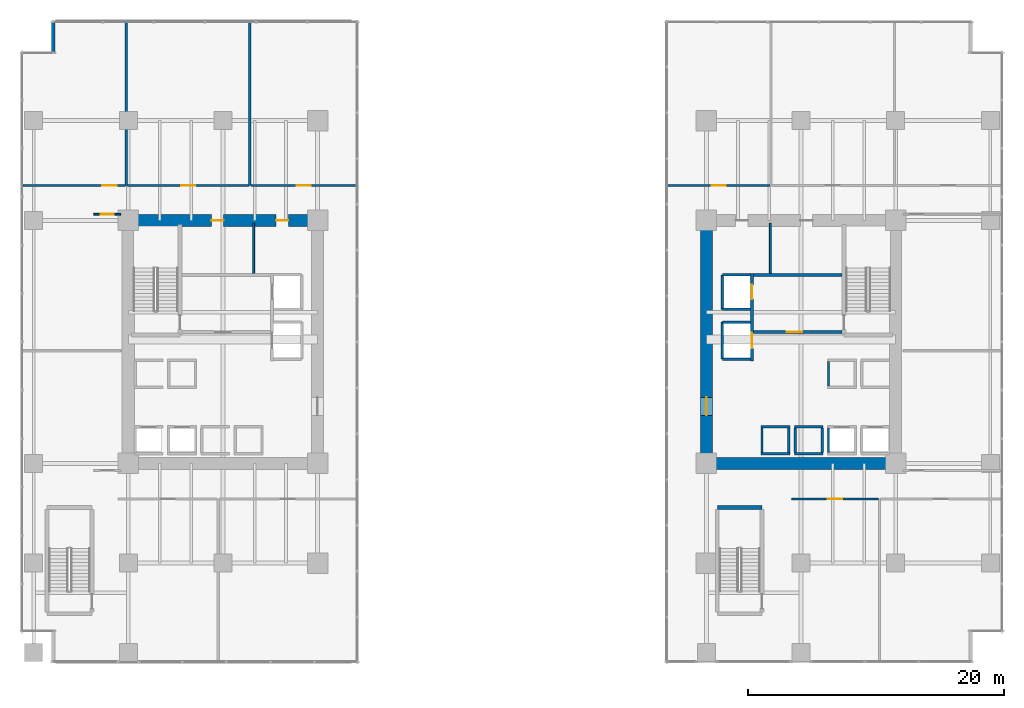
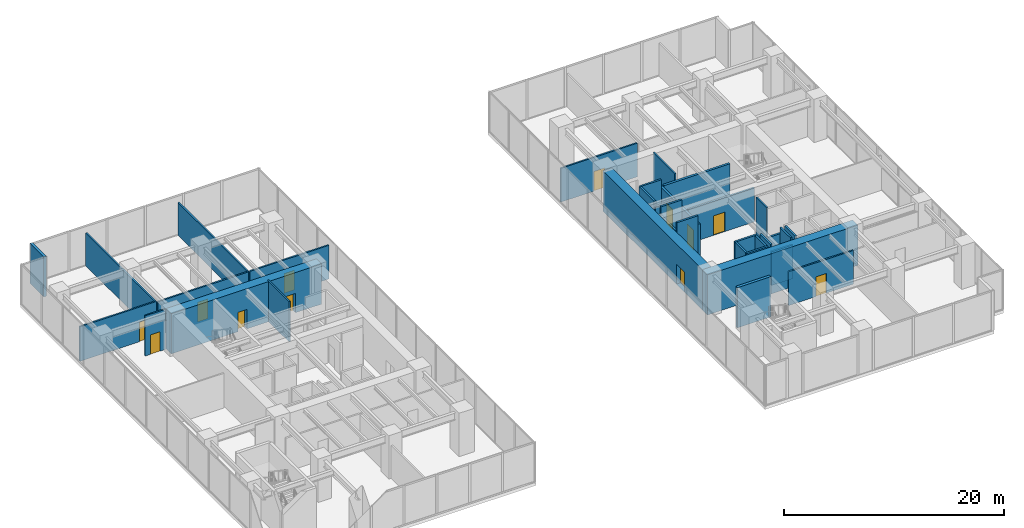
# One storey, part 26 of 32: 34 walls, 12 doors, 12 openings.
"""IFC4 building model written with IfcOpenShell, lengths in metres."""

from ifc_helpers import new_model, si_unit, direction, frame, frame_2d, origin, place, context, subcontext, project, spatial, rectangle, extrude, source, transform, mapped, material, layer, layer_set, type_object, type_shapes, element, fill, save


model = new_model("IFC4")

# Units and contexts
model_context = context("Model", 3, precision=1e-05, world=origin(), true_north=direction((0.0, 1.0)))
body_context = subcontext(model_context, "Body", "Model", "MODEL_VIEW")
ifc_project = project(units=[si_unit("LENGTHUNIT", "METRE"), si_unit("AREAUNIT", "SQUARE_METRE"), si_unit("VOLUMEUNIT", "CUBIC_METRE"), si_unit("PLANEANGLEUNIT", "RADIAN"), si_unit("MASSUNIT", "GRAM", prefix="KILO")], contexts=[model_context])

# Site, building, storey
site_placement = place(None, origin())
site = spatial("IfcSite", under=ifc_project, at=site_placement, CompositionType="ELEMENT")
building_placement = place(site_placement, origin())
building = spatial("IfcBuilding", under=site, at=building_placement, Name="Haelvirn Gate Laboratories", CompositionType="ELEMENT")
storey_placement = place(building_placement, frame((0.0, 0.0, 5.39990234375)))
storey = spatial("IfcBuildingStorey", under=building, at=storey_placement, Name="L02", CompositionType="ELEMENT", Elevation=5.39990234375)

# Wall
ifc_material_1 = material(Name="Thermally-broken bronze aluminium rainscreen & mineral wool", Category="aluminium")
ifc_layer_1 = layer(ifc_material_1, 0.280029296875, Name="EW-TERR-280")
ifc_layer_set_1 = layer_set([ifc_layer_1], Name="Thermally-broken bronze aluminium rainscreen & mineral wool")
wall_type_1 = type_object("IfcWallType", Name="EW-TERR-280", PredefinedType="STANDARD", material=ifc_layer_set_1)
wall_1_placement = place(storey_placement, frame((1.5400390625, 49.39990234375, 0.0), z_axis=(0.0, 0.0, 1.0), x_axis=(0.0, -1.0, 0.0)))
element("IfcWall", 1, at=wall_1_placement, inside=storey, type_object=wall_type_1, Name="L02 Atrium Recess Bronze Return Wall 03", PredefinedType="STANDARD", context=body_context, shape_type="SweptSolid", body=[
    extrude(rectangle(XDim=2.48779296875, YDim=0.280029296875, at=frame_2d((1.243896484375, 0.0))), origin(), (0.0, 0.0, 1.0), 4.4501953125),
])

# Wall, opening, door
ifc_material_2 = material(Name="Acoustic mineral-wool gypsum board partition", Category="gypsum")
ifc_layer_2 = layer(ifc_material_2, 0.139892578125, Name="IW-PART-140")
ifc_layer_set_2 = layer_set([ifc_layer_2], Name="Acoustic mineral-wool gypsum board partition")
wall_type_2 = type_object("IfcWallType", Name="IW-PART-140", PredefinedType="PARTITIONING", material=ifc_layer_set_2)
wall_2_placement = place(storey_placement, frame((4.699951171875, 34.280029296875, 0.0), z_axis=(0.0, 0.0, 1.0), x_axis=(1.0, 0.0, 0.0)))
wall_2 = element("IfcWall", 2, at=wall_2_placement, inside=storey, type_object=wall_type_2, Name="L02 Interior Wall IW-L02-PODOUTW-W-N", PredefinedType="PARTITIONING", context=body_context, shape_type="SweptSolid", body=[
    extrude(rectangle(XDim=2.10009765625, YDim=0.139892578125, at=frame_2d((1.050048828125, 0.0))), origin(), (0.0, 0.0, 1.0), 4.4501953125),
])
opening_1_placement = place(wall_2_placement, frame((0.550048828125, 0.0, 0.0)))
opening_1 = element("IfcOpeningElement", 3, at=opening_1_placement, cuts=wall_2, Name="Opening D2", PredefinedType="OPENING", context=body_context, shape_type="SweptSolid", body=[
    extrude(rectangle(XDim=1.0, YDim=2.14990234375, at=frame_2d((0.5, 1.074951171875))), frame((0.0, 0.080078125, 0.0), z_axis=(0.0, -1.0, 0.0), x_axis=(1.0, 0.0, 0.0)), (0.0, 0.0, 1.0), 0.159912109375),
])
ifc_material_3 = material(Name="Acoustic solid-core timber suite door", Category="wood")
door_type_1 = type_object("IfcDoorType", Name="DR-INT-1000", OperationType="NOTDEFINED", PredefinedType="DOOR", material=ifc_material_3)
shared_shape_1 = source(origin(), body_context, "Body", "SweptSolid", [
    extrude(rectangle(XDim=1.0, YDim=2.14990234375, at=frame_2d((0.5, 1.074951171875))), frame((0.0, 0.02490234375, 0.0), z_axis=(0.0, -1.0, 0.0), x_axis=(1.0, 0.0, 0.0)), (0.0, 0.0, 1.0), 0.050048828125),
])
type_shapes(door_type_1, [shared_shape_1])
door_1_placement = place(opening_1_placement, origin())
door_1 = element("IfcDoor", 4, at=door_1_placement, inside=storey, type_object=door_type_1, Name="L02 Genomics Assay Laboratory Outer Wing Door", OperationType="SINGLE_SWING_RIGHT", OverallHeight=2.14990234375, OverallWidth=1.0, PredefinedType="DOOR", context=body_context, shape_type="MappedRepresentation", body=[
    mapped(shared_shape_1, transform((0.0, 0.0, 0.0), scale=1.0)),
])
fill(opening_1, door_1)

ifc_material_4 = material(Name="Moisture-resistant gypsum laboratory partition", Category="gypsum")
ifc_layer_3 = layer(ifc_material_4, 0.1650390625, Name="IW-PART-160")
ifc_layer_set_3 = layer_set([ifc_layer_3], Name="Moisture-resistant gypsum laboratory partition")
wall_type_3 = type_object("IfcWallType", Name="IW-PART-160", PredefinedType="PARTITIONING", material=ifc_layer_set_3)
wall_3_placement = place(storey_placement, frame((-0.85009765625, 36.52001953125, 0.0), z_axis=(0.0, 0.0, 1.0), x_axis=(1.0, 0.0, 0.0)))
wall_3 = element("IfcWall", 5, at=wall_3_placement, inside=storey, type_object=wall_type_3, Name="L02 Interior Wall IW-L02-PODN-W-1", PredefinedType="PARTITIONING", context=body_context, shape_type="SweptSolid", body=[
    extrude(rectangle(XDim=8.010986328125, YDim=0.1650390625, at=frame_2d((4.00537109375, 0.0))), origin(), (0.0, 0.0, 1.0), 3.835205078125),
])
opening_2_placement = place(wall_3_placement, frame((6.23046875, 0.0, 0.0)))
opening_2 = element("IfcOpeningElement", 6, at=opening_2_placement, cuts=wall_3, Name="Opening D1", PredefinedType="OPENING", context=body_context, shape_type="SweptSolid", body=[
    extrude(rectangle(XDim=1.10009765625, YDim=2.179931640625, at=frame_2d((0.550048828125, 1.08984375))), frame((0.0, 0.092529296875, 0.0), z_axis=(0.0, -1.0, 0.0), x_axis=(1.0, 0.0, 0.0)), (0.0, 0.0, 1.0), 0.18505859375),
])
ifc_material_5 = material(Name="Vision-panel acoustic solid-core timber lab door", Category="wood")
door_type_2 = type_object("IfcDoorType", Name="DR-LAB-1100", OperationType="NOTDEFINED", PredefinedType="DOOR", material=ifc_material_5)
shared_shape_2 = source(origin(), body_context, "Body", "SweptSolid", [
    extrude(rectangle(XDim=1.10009765625, YDim=2.179931640625, at=frame_2d((0.550048828125, 1.08984375))), frame((0.0, 0.02490234375, 0.0), z_axis=(0.0, -1.0, 0.0), x_axis=(1.0, 0.0, 0.0)), (0.0, 0.0, 1.0), 0.050048828125),
])
type_shapes(door_type_2, [shared_shape_2])
door_2_placement = place(opening_2_placement, origin())
door_2 = element("IfcDoor", 7, at=door_2_placement, inside=storey, type_object=door_type_2, Name="L02 Chemical Synthesis Laboratory North Door", OperationType="SINGLE_SWING_RIGHT", OverallHeight=2.179931640625, OverallWidth=1.10009765625, PredefinedType="DOOR", context=body_context, shape_type="MappedRepresentation", body=[
    mapped(shared_shape_2, transform((0.0, 0.0, 0.0), scale=1.0)),
])
fill(opening_2, door_2)

# Wall
wall_4_placement = place(storey_placement, frame((7.240966796875, 36.52001953125, 0.0), z_axis=(0.0, 0.0, 1.0), x_axis=(0.0, 1.0, 0.0)))
element("IfcWall", 8, at=wall_4_placement, inside=storey, type_object=wall_type_3, Name="L02 Interior Wall IW-L02-PODNDIV-W-1", PredefinedType="PARTITIONING", context=body_context, shape_type="SweptSolid", body=[
    extrude(rectangle(XDim=12.77001953125, YDim=0.1650390625, at=frame_2d((6.385009765625, 0.0))), origin(), (0.0, 0.0, 1.0), 3.635009765625),
])

# Wall, opening, door
wall_5_placement = place(storey_placement, frame((7.321044921875, 36.52001953125, 0.0), z_axis=(0.0, 0.0, 1.0), x_axis=(1.0, 0.0, 0.0)))
wall_5 = element("IfcWall", 9, at=wall_5_placement, inside=storey, type_object=wall_type_3, Name="L02 Interior Wall IW-L02-PODN-W-2", PredefinedType="PARTITIONING", context=body_context, shape_type="SweptSolid", body=[
    extrude(rectangle(XDim=9.4970703125, YDim=0.1650390625, at=frame_2d((4.74853515625, 0.0))), origin(), (0.0, 0.0, 1.0), 3.735107421875),
])
opening_3_placement = place(wall_5_placement, frame((4.198486328125, 0.0, 0.0)))
opening_3 = element("IfcOpeningElement", 10, at=opening_3_placement, cuts=wall_5, Name="Opening D1", PredefinedType="OPENING", context=body_context, shape_type="SweptSolid", body=[
    extrude(rectangle(XDim=1.10009765625, YDim=2.179931640625, at=frame_2d((0.550048828125, 1.08984375))), frame((0.0, 0.092529296875, 0.0), z_axis=(0.0, -1.0, 0.0), x_axis=(1.0, 0.0, 0.0)), (0.0, 0.0, 1.0), 0.18505859375),
])
door_3_placement = place(opening_3_placement, origin())
door_3 = element("IfcDoor", 11, at=door_3_placement, inside=storey, type_object=door_type_2, Name="L02 Bioprocess Foundry Laboratory North Door", OperationType="SINGLE_SWING_LEFT", OverallHeight=2.179931640625, OverallWidth=1.10009765625, PredefinedType="DOOR", context=body_context, shape_type="MappedRepresentation", body=[
    mapped(shared_shape_2, transform((0.0, 0.0, 0.0), scale=1.0)),
])
fill(opening_3, door_3)

# Wall
wall_6_placement = place(storey_placement, frame((16.89794921875, 36.52001953125, 0.0), z_axis=(0.0, 0.0, 1.0), x_axis=(0.0, 1.0, 0.0)))
element("IfcWall", 12, at=wall_6_placement, inside=storey, type_object=wall_type_3, Name="L02 Interior Wall IW-L02-PODNDIV-W-2", PredefinedType="PARTITIONING", context=body_context, shape_type="SweptSolid", body=[
    extrude(rectangle(XDim=12.77001953125, YDim=0.1650390625, at=frame_2d((6.385009765625, 0.0))), origin(), (0.0, 0.0, 1.0), 3.635009765625),
])

# Wall, opening, door
wall_7_placement = place(storey_placement, frame((16.97802734375, 36.52001953125, 0.0), z_axis=(0.0, 0.0, 1.0), x_axis=(1.0, 0.0, 0.0)))
wall_7 = element("IfcWall", 13, at=wall_7_placement, inside=storey, type_object=wall_type_3, Name="L02 Interior Wall IW-L02-PODN-W-3", PredefinedType="PARTITIONING", context=body_context, shape_type="SweptSolid", body=[
    extrude(rectangle(XDim=8.27197265625, YDim=0.1650390625, at=frame_2d((4.135986328125, 0.0))), origin(), (0.0, 0.0, 1.0), 3.735107421875),
])
opening_4_placement = place(wall_7_placement, frame((3.5859375, 0.0, 0.0)))
opening_4 = element("IfcOpeningElement", 14, at=opening_4_placement, cuts=wall_7, Name="Opening D1", PredefinedType="OPENING", context=body_context, shape_type="SweptSolid", body=[
    extrude(rectangle(XDim=1.10009765625, YDim=2.179931640625, at=frame_2d((0.550048828125, 1.08984375))), frame((0.0, 0.092529296875, 0.0), z_axis=(0.0, -1.0, 0.0), x_axis=(1.0, 0.0, 0.0)), (0.0, 0.0, 1.0), 0.18505859375),
])
door_4_placement = place(opening_4_placement, origin())
door_4 = element("IfcDoor", 15, at=door_4_placement, inside=storey, type_object=door_type_2, Name="L02 Genomics Assay Laboratory North Door", OperationType="SINGLE_SWING_RIGHT", OverallHeight=2.179931640625, OverallWidth=1.10009765625, PredefinedType="DOOR", context=body_context, shape_type="MappedRepresentation", body=[
    mapped(shared_shape_2, transform((0.0, 0.0, 0.0), scale=1.0)),
])
fill(opening_4, door_4)

wall_8_placement = place(storey_placement, frame((59.25, 12.02001953125, 0.0), z_axis=(0.0, 0.0, 1.0), x_axis=(1.0, 0.0, 0.0)))
wall_8 = element("IfcWall", 16, at=wall_8_placement, inside=storey, type_object=wall_type_3, Name="L02 Interior Wall IW-L02-PODS-E-1", PredefinedType="PARTITIONING", context=body_context, shape_type="SweptSolid", body=[
    extrude(rectangle(XDim=6.80810546875, YDim=0.1650390625, at=frame_2d((3.404052734375, 0.0))), origin(), (0.0, 0.0, 1.0), 3.735107421875),
])
opening_5_placement = place(wall_8_placement, frame((2.85400390625, 0.0, 0.0)))
opening_5 = element("IfcOpeningElement", 17, at=opening_5_placement, cuts=wall_8, Name="Opening D1", PredefinedType="OPENING", context=body_context, shape_type="SweptSolid", body=[
    extrude(rectangle(XDim=1.10009765625, YDim=2.179931640625, at=frame_2d((0.550048828125, 1.08984375))), frame((0.0, 0.092529296875, 0.0), z_axis=(0.0, -1.0, 0.0), x_axis=(1.0, 0.0, 0.0)), (0.0, 0.0, 1.0), 0.18505859375),
])
door_5_placement = place(opening_5_placement, origin())
door_5 = element("IfcDoor", 18, at=door_5_placement, inside=storey, type_object=door_type_2, Name="L02 Computational Write-Up Office Door", OperationType="SINGLE_SWING_LEFT", OverallHeight=2.179931640625, OverallWidth=1.10009765625, PredefinedType="DOOR", context=body_context, shape_type="MappedRepresentation", body=[
    mapped(shared_shape_2, transform((0.0, 0.0, 0.0), scale=1.0)),
])
fill(opening_5, door_5)

wall_9_placement = place(storey_placement, frame((49.550048828125, 36.52001953125, 0.0), z_axis=(0.0, 0.0, 1.0), x_axis=(1.0, 0.0, 0.0)))
wall_9 = element("IfcWall", 19, at=wall_9_placement, inside=storey, type_object=wall_type_3, Name="L02 Interior Wall IW-L02-PODN-E-1", PredefinedType="PARTITIONING", context=body_context, shape_type="SweptSolid", body=[
    extrude(rectangle(XDim=8.010986328125, YDim=0.1650390625, at=frame_2d((4.00537109375, 0.0))), origin(), (0.0, 0.0, 1.0), 3.735107421875),
])
opening_6_placement = place(wall_9_placement, frame((3.45556640625, 0.0, 0.0)))
opening_6 = element("IfcOpeningElement", 20, at=opening_6_placement, cuts=wall_9, Name="Opening D1", PredefinedType="OPENING", context=body_context, shape_type="SweptSolid", body=[
    extrude(rectangle(XDim=1.10009765625, YDim=2.179931640625, at=frame_2d((0.550048828125, 1.08984375))), frame((0.0, 0.092529296875, 0.0), z_axis=(0.0, -1.0, 0.0), x_axis=(1.0, 0.0, 0.0)), (0.0, 0.0, 1.0), 0.18505859375),
])
door_6_placement = place(opening_6_placement, origin())
door_6 = element("IfcDoor", 21, at=door_6_placement, inside=storey, type_object=door_type_2, Name="L02 Chemical Synthesis Laboratory North Door", OperationType="SINGLE_SWING_RIGHT", OverallHeight=2.179931640625, OverallWidth=1.10009765625, PredefinedType="DOOR", context=body_context, shape_type="MappedRepresentation", body=[
    mapped(shared_shape_2, transform((0.0, 0.0, 0.0), scale=1.0)),
])
fill(opening_6, door_6)

# Walls
ifc_material_6 = material(Name="Cement-board restroom plumbing chase wall", Category="gypsum")
ifc_layer_4 = layer(ifc_material_6, 0.155029296875, Name="IW-PLUMB-160")
ifc_layer_set_4 = layer_set([ifc_layer_4], Name="Cement-board restroom plumbing chase wall")
wall_type_4 = type_object("IfcWallType", Name="IW-PLUMB-160", PredefinedType="PLUMBINGWALL", material=ifc_layer_set_4)
for number, where, z_axis, x_axis, name in (
    (22, (17.18994140625, 29.64990234375, 0.0), (0.0, 0.0, 1.0), (0.0, 1.0, 0.0), "L02 Interior Wall IW-L02-W-CDIV-1"),
    (23, (57.610107421875, 29.64990234375, 0.0), (0.0, 0.0, 1.0), (0.0, 1.0, 0.0), "L02 Interior Wall IW-L02-E-CDIV-1"),
):
    element("IfcWall", number, at=place(storey_placement, frame(where, z_axis=z_axis, x_axis=x_axis)), inside=storey, type_object=wall_type_4, Name=name, PredefinedType="PLUMBINGWALL", context=body_context, shape_type="SweptSolid", body=[
        extrude(rectangle(XDim=3.93017578125, YDim=0.155029296875, at=frame_2d((1.965087890625, 0.0))), origin(), (0.0, 0.0, 1.0), 4.4501953125),
    ])
ifc_material_7 = material(Name="Concrete C40/50", Category="concrete")
ifc_layer_5 = layer(ifc_material_7, 0.179931640625, Name="IW-SHAFT-180")
ifc_layer_set_5 = layer_set([ifc_layer_5], Name="Concrete C40/50")
wall_type_5 = type_object("IfcWallType", Name="IW-SHAFT-180", PredefinedType="SOLIDWALL", material=ifc_layer_set_5)
for number, where, z_axis, x_axis, name in (
    (24, (62.14990234375, 15.64990234375, 0.0), (0.0, 0.0, 1.0), (0.0, 1.0, 0.0), "L02 Interior Wall IW-L02-PL4-SD"),
    (25, (59.550048828125, 15.64990234375, 0.0), (0.0, 0.0, 1.0), (0.0, 1.0, 0.0), "L02 Interior Wall IW-L02-PL7-SD"),
    (26, (61.64990234375, 15.64990234375, 0.0), (0.0, 0.0, 1.0), (0.0, 1.0, 0.0), "L02 Interior Wall IW-L02-PL7-SDE"),
    (27, (56.949951171875, 15.64990234375, 0.0), (0.0, 0.0, 1.0), (0.0, 1.0, 0.0), "L02 Interior Wall IW-L02-PL8-SD"),
    (28, (59.050048828125, 15.64990234375, 0.0), (0.0, 0.0, 1.0), (0.0, 1.0, 0.0), "L02 Interior Wall IW-L02-PL8-SDE"),
):
    element("IfcWall", number, at=place(storey_placement, frame(where, z_axis=z_axis, x_axis=x_axis)), inside=storey, type_object=wall_type_5, Name=name, PredefinedType="SOLIDWALL", context=body_context, shape_type="SweptSolid", body=[
        extrude(rectangle(XDim=1.900146484375, YDim=0.179931640625, at=frame_2d((0.9501953125, 0.0))), origin(), (0.0, 0.0, 1.0), 4.4501953125),
    ])
wall_10_placement = place(storey_placement, frame((62.14990234375, 20.85009765625, 0.0), z_axis=(0.0, 0.0, 1.0), x_axis=(0.0, 1.0, 0.0)))
element("IfcWall", 29, at=wall_10_placement, inside=storey, type_object=wall_type_5, Name="L02 Interior Wall IW-L02-PL12-SD", PredefinedType="SOLIDWALL", context=body_context, shape_type="SweptSolid", body=[
    extrude(rectangle(XDim=1.89990234375, YDim=0.179931640625, at=frame_2d((0.949951171875, 0.0))), origin(), (0.0, 0.0, 1.0), 4.4501953125),
])
ifc_layer_6 = layer(ifc_material_7, 0.199951171875, Name="IW-SHAFT-200")
ifc_layer_set_6 = layer_set([ifc_layer_6], Name="Concrete C40/50")
wall_type_6 = type_object("IfcWallType", Name="IW-SHAFT-200", PredefinedType="SOLIDWALL", material=ifc_layer_set_6)
for number, where, z_axis, x_axis, name in (
    (30, (59.469970703125, 17.64990234375, 0.0), (0.0, 0.0, 1.0), (1.0, 0.0, 0.0), "L02 Interior Wall IW-L02-PL7-FR"),
    (31, (59.469970703125, 15.550048828125, 0.0), (0.0, 0.0, 1.0), (1.0, 0.0, 0.0), "L02 Interior Wall IW-L02-PL7-BK"),
):
    element("IfcWall", number, at=place(storey_placement, frame(where, z_axis=z_axis, x_axis=x_axis)), inside=storey, type_object=wall_type_6, Name=name, PredefinedType="SOLIDWALL", context=body_context, shape_type="SweptSolid", body=[
        extrude(rectangle(XDim=2.260009765625, YDim=0.199951171875, at=frame_2d((1.1298828125, 0.0))), origin(), (0.0, 0.0, 1.0), 3.735107421875),
    ])
for number, where, z_axis, x_axis, name in (
    (32, (56.8701171875, 17.64990234375, 0.0), (0.0, 0.0, 1.0), (1.0, 0.0, 0.0), "L02 Interior Wall IW-L02-PL8-FR"),
    (33, (56.8701171875, 15.550048828125, 0.0), (0.0, 0.0, 1.0), (1.0, 0.0, 0.0), "L02 Interior Wall IW-L02-PL8-BK"),
):
    element("IfcWall", number, at=place(storey_placement, frame(where, z_axis=z_axis, x_axis=x_axis)), inside=storey, type_object=wall_type_6, Name=name, PredefinedType="SOLIDWALL", context=body_context, shape_type="SweptSolid", body=[
        extrude(rectangle(XDim=2.259765625, YDim=0.199951171875, at=frame_2d((1.1298828125, 0.0))), origin(), (0.0, 0.0, 1.0), 4.4501953125),
    ])
wall_11_placement = place(storey_placement, frame((53.85009765625, 26.85009765625, 0.0), z_axis=(0.0, 0.0, 1.0), x_axis=(0.0, 1.0, 0.0)))
element("IfcWall", 34, at=wall_11_placement, inside=storey, type_object=wall_type_6, Name="L02 Interior Wall IW-L02-FL2-BK", PredefinedType="SOLIDWALL", context=body_context, shape_type="SweptSolid", body=[
    extrude(rectangle(XDim=2.699951171875, YDim=0.199951171875, at=frame_2d((1.35009765625, 0.0))), origin(), (0.0, 0.0, 1.0), 4.4501953125),
])
wall_12_placement = place(storey_placement, frame((53.85009765625, 29.550048828125, 0.0), z_axis=(0.0, 0.0, 1.0), x_axis=(1.0, 0.0, 0.0)))
element("IfcWall", 35, at=wall_12_placement, inside=storey, type_object=wall_type_6, Name="L02 Interior Wall IW-L02-FL2-N", PredefinedType="SOLIDWALL", context=body_context, shape_type="SweptSolid", body=[
    extrude(rectangle(XDim=2.18994140625, YDim=0.199951171875, at=frame_2d((1.094970703125, 0.0))), origin(), (0.0, 0.0, 1.0), 4.4501953125),
])
wall_13_placement = place(storey_placement, frame((53.85009765625, 26.85009765625, 0.0), z_axis=(0.0, 0.0, 1.0), x_axis=(1.0, 0.0, 0.0)))
element("IfcWall", 36, at=wall_13_placement, inside=storey, type_object=wall_type_6, Name="L02 Interior Wall IW-L02-FL2-S", PredefinedType="SOLIDWALL", context=body_context, shape_type="SweptSolid", body=[
    extrude(rectangle(XDim=2.18994140625, YDim=0.199951171875, at=frame_2d((1.094970703125, 0.0))), origin(), (0.0, 0.0, 1.0), 3.84716796875),
])
wall_14_placement = place(storey_placement, frame((53.85009765625, 22.949951171875, 0.0), z_axis=(0.0, 0.0, 1.0), x_axis=(0.0, 1.0, 0.0)))
element("IfcWall", 37, at=wall_14_placement, inside=storey, type_object=wall_type_6, Name="L02 Interior Wall IW-L02-SL2-BK", PredefinedType="SOLIDWALL", context=body_context, shape_type="SweptSolid", body=[
    extrude(rectangle(XDim=2.900146484375, YDim=0.199951171875, at=frame_2d((1.4501953125, 0.0))), origin(), (0.0, 0.0, 1.0), 3.53515625),
])
for number, where, z_axis, x_axis, name in (
    (38, (53.85009765625, 25.85009765625, 0.0), (0.0, 0.0, 1.0), (1.0, 0.0, 0.0), "L02 Interior Wall IW-L02-SL2-N"),
    (39, (53.85009765625, 22.949951171875, 0.0), (0.0, 0.0, 1.0), (1.0, 0.0, 0.0), "L02 Interior Wall IW-L02-SL2-S"),
):
    element("IfcWall", number, at=place(storey_placement, frame(where, z_axis=z_axis, x_axis=x_axis)), inside=storey, type_object=wall_type_6, Name=name, PredefinedType="SOLIDWALL", context=body_context, shape_type="SweptSolid", body=[
        extrude(rectangle(XDim=2.18994140625, YDim=0.199951171875, at=frame_2d((1.094970703125, 0.0))), origin(), (0.0, 0.0, 1.0), 4.4501953125),
    ])

# Wall, opening, door
ifc_layer_7 = layer(ifc_material_7, 0.239990234375, Name="IW-SHAFT-240")
ifc_layer_set_7 = layer_set([ifc_layer_7], Name="Concrete C40/50")
wall_type_7 = type_object("IfcWallType", Name="IW-SHAFT-240", PredefinedType="SOLIDWALL", material=ifc_layer_set_7)
wall_15_placement = place(storey_placement, frame((56.280029296875, 25.080078125, 0.0), z_axis=(0.0, 0.0, 1.0), x_axis=(1.0, 0.0, 0.0)))
wall_15 = element("IfcWall", 40, at=wall_15_placement, inside=storey, type_object=wall_type_7, Name="L02 Interior Wall IW-L02-E-FF-S", PredefinedType="SOLIDWALL", context=body_context, shape_type="SweptSolid", body=[
    extrude(rectangle(XDim=6.919921875, YDim=0.239990234375, at=frame_2d((3.4599609375, 0.0))), origin(), (0.0, 0.0, 1.0), 3.735107421875),
])
opening_7_placement = place(wall_15_placement, frame((2.60009765625, 0.0, 0.0)))
opening_7 = element("IfcOpeningElement", 41, at=opening_7_placement, cuts=wall_15, Name="Opening FD2", PredefinedType="OPENING", context=body_context, shape_type="SweptSolid", body=[
    extrude(rectangle(XDim=1.199951171875, YDim=2.159912109375, at=frame_2d((0.60009765625, 1.080078125))), frame((0.0, 0.1298828125, 0.0), z_axis=(0.0, -1.0, 0.0), x_axis=(1.0, 0.0, 0.0)), (0.0, 0.0, 1.0), 0.260009765625),
])
ifc_material_8 = material(Name="Fire-rated steel SM355 compartment door", Category="steel")
door_type_3 = type_object("IfcDoorType", Name="DR-FD-1200", OperationType="NOTDEFINED", PredefinedType="DOOR", material=ifc_material_8)
shared_shape_3 = source(origin(), body_context, "Body", "SweptSolid", [
    extrude(rectangle(XDim=1.199951171875, YDim=2.159912109375, at=frame_2d((0.60009765625, 1.080078125))), frame((0.0, 0.02490234375, 0.0), z_axis=(0.0, -1.0, 0.0), x_axis=(1.0, 0.0, 0.0)), (0.0, 0.0, 1.0), 0.050048828125),
])
type_shapes(door_type_3, [shared_shape_3])
door_7_placement = place(opening_7_placement, origin())
door_7 = element("IfcDoor", 42, at=door_7_placement, inside=storey, type_object=door_type_3, Name="L02 East Firefighting Lobby Door", OperationType="SINGLE_SWING_LEFT", OverallHeight=2.159912109375, OverallWidth=1.199951171875, PredefinedType="DOOR", context=body_context, shape_type="MappedRepresentation", body=[
    mapped(shared_shape_3, transform((0.0, 0.0, 0.0), scale=1.0)),
])
fill(opening_7, door_7)

# Wall
wall_16_placement = place(storey_placement, frame((56.280029296875, 29.52001953125, 0.0), z_axis=(0.0, 0.0, 1.0), x_axis=(1.0, 0.0, 0.0)))
element("IfcWall", 43, at=wall_16_placement, inside=storey, type_object=wall_type_7, Name="L02 Interior Wall IW-L02-E-FF-N", PredefinedType="SOLIDWALL", context=body_context, shape_type="SweptSolid", body=[
    extrude(rectangle(XDim=6.919921875, YDim=0.239990234375, at=frame_2d((3.4599609375, 0.0))), origin(), (0.0, 0.0, 1.0), 3.735107421875),
])

# Wall, openings, doors
wall_17_placement = place(storey_placement, frame((56.159912109375, 22.800048828125, 0.0), z_axis=(0.0, 0.0, 1.0), x_axis=(0.0, 1.0, 0.0)))
wall_17 = element("IfcWall", 44, at=wall_17_placement, inside=storey, type_object=wall_type_7, Name="L02 Interior Wall IW-L02-E-FF-E", PredefinedType="SOLIDWALL", context=body_context, shape_type="SweptSolid", body=[
    extrude(rectangle(XDim=6.849853515625, YDim=0.239990234375, at=frame_2d((3.4248046875, 0.0))), origin(), (0.0, 0.0, 1.0), 3.53515625),
])
opening_8_placement = place(wall_17_placement, frame((4.85009765625, 0.0, 0.0)))
opening_8 = element("IfcOpeningElement", 45, at=opening_8_placement, cuts=wall_17, Name="Opening LD2", PredefinedType="OPENING", context=body_context, shape_type="SweptSolid", body=[
    extrude(rectangle(XDim=1.10009765625, YDim=2.219970703125, at=frame_2d((0.550048828125, 1.10986328125))), frame((0.0, 0.1298828125, 0.0), z_axis=(0.0, -1.0, 0.0), x_axis=(1.0, 0.0, 0.0)), (0.0, 0.0, 1.0), 0.260009765625),
])
opening_9_placement = place(wall_17_placement, frame((1.0, 0.0, 0.0)))
opening_9 = element("IfcOpeningElement", 46, at=opening_9_placement, cuts=wall_17, Name="Opening LD1", PredefinedType="OPENING", context=body_context, shape_type="SweptSolid", body=[
    extrude(rectangle(XDim=1.199951171875, YDim=2.219970703125, at=frame_2d((0.60009765625, 1.10986328125))), frame((0.0, 0.1298828125, 0.0), z_axis=(0.0, -1.0, 0.0), x_axis=(1.0, 0.0, 0.0)), (0.0, 0.0, 1.0), 0.260009765625),
])
ifc_material_9 = material(Name="Bronze stainless 316L sliding lift landing door")
door_type_4 = type_object("IfcDoorType", Name="DR-LD-1100", OperationType="NOTDEFINED", PredefinedType="USERDEFINED", material=ifc_material_9)
shared_shape_4 = source(origin(), body_context, "Body", "SweptSolid", [
    extrude(rectangle(XDim=1.10009765625, YDim=2.219970703125, at=frame_2d((0.550048828125, 1.10986328125))), frame((0.0, 0.02490234375, 0.0), z_axis=(0.0, -1.0, 0.0), x_axis=(1.0, 0.0, 0.0)), (0.0, 0.0, 1.0), 0.050048828125),
])
type_shapes(door_type_4, [shared_shape_4])
door_8_placement = place(opening_8_placement, origin())
door_8 = element("IfcDoor", 47, at=door_8_placement, inside=storey, type_object=door_type_4, Name="L02 Firefighting Lift FL2 Landing Door", ObjectType="LANDING_DOOR", OperationType="SLIDING_TO_RIGHT", OverallHeight=2.219970703125, OverallWidth=1.10009765625, PredefinedType="USERDEFINED", context=body_context, shape_type="MappedRepresentation", body=[
    mapped(shared_shape_4, transform((0.0, 0.0, 0.0), scale=1.0)),
])
fill(opening_8, door_8)
ifc_material_10 = material(Name="Stainless steel 316L sliding goods landing door", Category="steel")
door_type_5 = type_object("IfcDoorType", Name="DR-LD-1200", OperationType="NOTDEFINED", PredefinedType="USERDEFINED", material=ifc_material_10)
shared_shape_5 = source(origin(), body_context, "Body", "SweptSolid", [
    extrude(rectangle(XDim=1.199951171875, YDim=2.219970703125, at=frame_2d((0.60009765625, 1.10986328125))), frame((0.0, 0.02490234375, 0.0), z_axis=(0.0, -1.0, 0.0), x_axis=(1.0, 0.0, 0.0)), (0.0, 0.0, 1.0), 0.050048828125),
])
type_shapes(door_type_5, [shared_shape_5])
door_9_placement = place(opening_9_placement, origin())
door_9 = element("IfcDoor", 48, at=door_9_placement, inside=storey, type_object=door_type_5, Name="L02 Service Lift SL2 Landing Door", ObjectType="LANDING_DOOR", OperationType="SLIDING_TO_LEFT", OverallHeight=2.219970703125, OverallWidth=1.199951171875, PredefinedType="USERDEFINED", context=body_context, shape_type="MappedRepresentation", body=[
    mapped(shared_shape_5, transform((0.0, 0.0, 0.0), scale=1.0)),
])
fill(opening_9, door_9)

ifc_material_11 = material(Name="Concrete C70/85", Category="concrete")
ifc_layer_8 = layer(ifc_material_11, 0.949951171875, Name="SW-CORE-950")
ifc_layer_set_8 = layer_set([ifc_layer_8], Name="Concrete C70/85")
wall_type_8 = type_object("IfcWallType", Name="SW-CORE-950", PredefinedType="SHEAR", material=ifc_layer_set_8)
wall_18_placement = place(storey_placement, frame((6.925048828125, 33.800048828125, 0.0), z_axis=(0.0, 0.0, 1.0), x_axis=(1.0, 0.0, 0.0)))
wall_18 = element("IfcWall", 49, at=wall_18_placement, inside=storey, type_object=wall_type_8, Name="L02 W Core Shear Wall N", PredefinedType="SHEAR", context=body_context, shape_type="SweptSolid", body=[
    extrude(rectangle(XDim=15.75, YDim=0.949951171875, at=frame_2d((7.875, 0.0))), origin(), (0.0, 0.0, 1.0), 4.4501953125),
])
opening_10_placement = place(wall_18_placement, frame((6.97509765625, 0.0, 0.0)))
opening_10 = element("IfcOpeningElement", 50, at=opening_10_placement, cuts=wall_18, Name="Opening FD4", PredefinedType="OPENING", context=body_context, shape_type="SweptSolid", body=[
    extrude(rectangle(XDim=0.949951171875, YDim=2.14990234375, at=frame_2d((0.47509765625, 1.074951171875))), frame((0.0, 0.48486328125, 0.0), z_axis=(0.0, -1.0, 0.0), x_axis=(1.0, 0.0, 0.0)), (0.0, 0.0, 1.0), 0.969970703125),
])
opening_11_placement = place(wall_18_placement, frame((12.0400390625, 0.0, 0.0)))
opening_11 = element("IfcOpeningElement", 51, at=opening_11_placement, cuts=wall_18, Name="Opening FD4", PredefinedType="OPENING", context=body_context, shape_type="SweptSolid", body=[
    extrude(rectangle(XDim=0.949951171875, YDim=2.14990234375, at=frame_2d((0.47509765625, 1.074951171875))), frame((0.0, 0.48486328125, 0.0), z_axis=(0.0, -1.0, 0.0), x_axis=(1.0, 0.0, 0.0)), (0.0, 0.0, 1.0), 0.969970703125),
])
ifc_material_12 = material(Name="Fire-rated steel SM355 core service door", Category="steel")
door_type_6 = type_object("IfcDoorType", Name="DR-FD-950", OperationType="NOTDEFINED", PredefinedType="DOOR", material=ifc_material_12)
shared_shape_6 = source(origin(), body_context, "Body", "SweptSolid", [
    extrude(rectangle(XDim=0.949951171875, YDim=2.14990234375, at=frame_2d((0.47509765625, 1.074951171875))), frame((0.0, 0.02490234375, 0.0), z_axis=(0.0, -1.0, 0.0), x_axis=(1.0, 0.0, 0.0)), (0.0, 0.0, 1.0), 0.050048828125),
])
type_shapes(door_type_6, [shared_shape_6])
door_10_placement = place(opening_10_placement, origin())
door_10 = element("IfcDoor", 52, at=door_10_placement, inside=storey, type_object=door_type_6, Name="L02 All-Gender Multi-Stall Restroom Fire Door", OperationType="SINGLE_SWING_LEFT", OverallHeight=2.14990234375, OverallWidth=0.949951171875, PredefinedType="DOOR", context=body_context, shape_type="MappedRepresentation", body=[
    mapped(shared_shape_6, transform((0.0, 0.0, 0.0), scale=1.0)),
])
fill(opening_10, door_10)
door_11_placement = place(opening_11_placement, origin())
door_11 = element("IfcDoor", 53, at=door_11_placement, inside=storey, type_object=door_type_6, Name="L02 Accessible Restroom Fire Door", OperationType="SINGLE_SWING_RIGHT", OverallHeight=2.14990234375, OverallWidth=0.949951171875, PredefinedType="DOOR", context=body_context, shape_type="MappedRepresentation", body=[
    mapped(shared_shape_6, transform((0.0, 0.0, 0.0), scale=1.0)),
])
fill(opening_11, door_11)

# Wall
wall_19_placement = place(storey_placement, frame((52.125, 14.800048828125, 0.0), z_axis=(0.0, 0.0, 1.0), x_axis=(1.0, 0.0, 0.0)))
element("IfcWall", 54, at=wall_19_placement, inside=storey, type_object=wall_type_8, Name="L02 E Core Shear Wall S", PredefinedType="SHEAR", context=body_context, shape_type="SweptSolid", body=[
    extrude(rectangle(XDim=15.75, YDim=0.949951171875, at=frame_2d((7.875, 0.0))), origin(), (0.0, 0.0, 1.0), 4.4501953125),
])

# Wall, opening, door
wall_20_placement = place(storey_placement, frame((52.60009765625, 15.27490234375, 0.0), z_axis=(0.0, 0.0, 1.0), x_axis=(0.0, 1.0, 0.0)))
wall_20 = element("IfcWall", 55, at=wall_20_placement, inside=storey, type_object=wall_type_8, Name="L02 E Core Shear Wall W", PredefinedType="SHEAR", context=body_context, shape_type="SweptSolid", body=[
    extrude(rectangle(XDim=18.050048828125, YDim=0.949951171875, at=frame_2d((9.02490234375, 0.0))), origin(), (0.0, 0.0, 1.0), 4.4501953125),
])
opening_12_placement = place(wall_20_placement, frame((3.27490234375, 0.0, 0.0)))
opening_12 = element("IfcOpeningElement", 56, at=opening_12_placement, cuts=wall_20, Name="Opening FD1", PredefinedType="OPENING", context=body_context, shape_type="SweptSolid", body=[
    extrude(rectangle(XDim=1.419921875, YDim=2.199951171875, at=frame_2d((0.7099609375, 1.10009765625))), frame((0.0, 0.48486328125, 0.0), z_axis=(0.0, -1.0, 0.0), x_axis=(1.0, 0.0, 0.0)), (0.0, 0.0, 1.0), 0.969970703125),
])
ifc_material_13 = material(Name="Fire-rated double steel SM355 lobby door", Category="steel")
door_type_7 = type_object("IfcDoorType", Name="DR-FD-1400", OperationType="NOTDEFINED", PredefinedType="DOOR", material=ifc_material_13)
shared_shape_7 = source(origin(), body_context, "Body", "SweptSolid", [
    extrude(rectangle(XDim=1.419921875, YDim=2.199951171875, at=frame_2d((0.7099609375, 1.10009765625))), frame((0.0, 0.02490234375, 0.0), z_axis=(0.0, -1.0, 0.0), x_axis=(1.0, 0.0, 0.0)), (0.0, 0.0, 1.0), 0.050048828125),
])
type_shapes(door_type_7, [shared_shape_7])
door_12_placement = place(opening_12_placement, origin())
door_12 = element("IfcDoor", 57, at=door_12_placement, inside=storey, type_object=door_type_7, Name="L02 East Core Lift Lobby Fire Door", OperationType="DOUBLE_DOOR_SINGLE_SWING", OverallHeight=2.199951171875, OverallWidth=1.419921875, PredefinedType="DOOR", context=body_context, shape_type="MappedRepresentation", body=[
    mapped(shared_shape_7, transform((0.0, 0.0, 0.0), scale=1.0)),
])
fill(opening_12, door_12)

# Wall
ifc_material_14 = material(Name="Concrete C50/60", Category="concrete")
ifc_layer_9 = layer(ifc_material_14, 0.300048828125, Name="SW-STAIR-300")
ifc_layer_set_9 = layer_set([ifc_layer_9], Name="Concrete C50/60")
wall_type_9 = type_object("IfcWallType", Name="SW-STAIR-300", PredefinedType="SHEAR", material=ifc_layer_set_9)
wall_21_placement = place(storey_placement, frame((53.449951171875, 11.35009765625, 0.0), z_axis=(0.0, 0.0, 1.0), x_axis=(1.0, 0.0, 0.0)))
element("IfcWall", 58, at=wall_21_placement, inside=storey, type_object=wall_type_9, Name="L02 Podium Stair ST4 Structural Wall N", PredefinedType="SHEAR", context=body_context, shape_type="SweptSolid", body=[
    extrude(rectangle(XDim=3.5, YDim=0.300048828125, at=frame_2d((1.75, 0.0))), origin(), (0.0, 0.0, 1.0), 4.4501953125),
])

save(model, "model.ifc")
